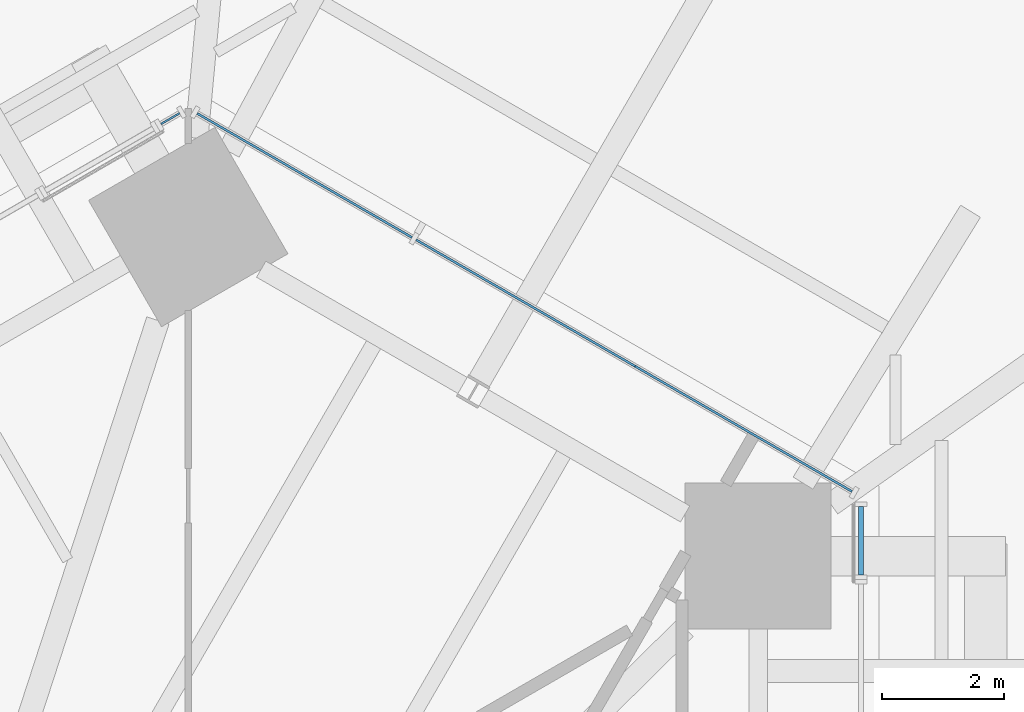
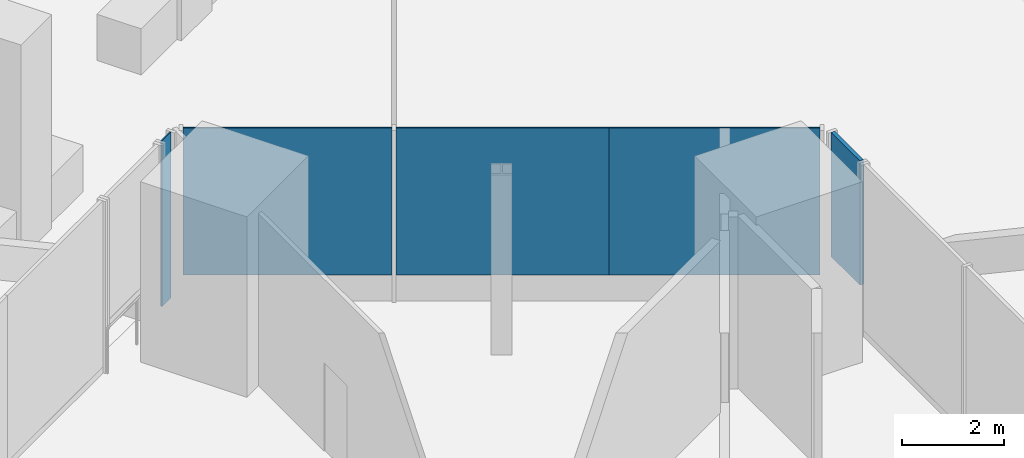
# One storey, part 25 of 38: 5 plates, 3 elements without a shape of their own.
"""IFC4 building model written with IfcOpenShell, lengths in metres."""

from ifc_helpers import new_model, si_unit, direction, frame, origin, origin_2d, place, context, subcontext, project, spatial, rectangle, extrude, source, transform, mapped, material, layer, layer_set, type_object, element, aggregate, save


model = new_model("IFC4")

# Units and contexts
model_context = context("Model", 3, precision=1e-05, world=origin(), true_north=direction((0.0, 1.0)))
body_context = subcontext(model_context, "Body", "Model", "MODEL_VIEW")
ifc_project = project(units=[si_unit("LENGTHUNIT", "METRE"), si_unit("AREAUNIT", "SQUARE_METRE"), si_unit("VOLUMEUNIT", "CUBIC_METRE"), si_unit("PLANEANGLEUNIT", "RADIAN"), si_unit("MASSUNIT", "GRAM", prefix="KILO")], contexts=[model_context])

# Site, building, storey
site_placement = place(None, origin())
site = spatial("IfcSite", under=ifc_project, at=site_placement, CompositionType="ELEMENT")
building_placement = place(site_placement, origin())
building = spatial("IfcBuilding", under=site, at=building_placement, Name="Triune Harvest Tower", CompositionType="ELEMENT")
storey_placement = place(building_placement, frame((0.0, 0.0, 16.0)))
storey = spatial("IfcBuildingStorey", under=building, at=storey_placement, Name="L03", CompositionType="ELEMENT", Elevation=16.0)

# Curtain wall, plate
ifc_material_1 = material(Name="Aluminium bronze anodised", Category="aluminium")
curtain_wall_type_1 = type_object("IfcCurtainWallType", Name="CW-10 Balcony window wall with insulated spandrel infill", PredefinedType="NOTDEFINED", material=ifc_material_1)
curtain_wall_1_placement = place(storey_placement, origin())
curtain_wall_1 = element("IfcCurtainWall", 1, at=curtain_wall_1_placement, inside=storey, type_object=curtain_wall_type_1, Name="CW-10 B1-F1 L03 run 102")
ifc_material_2 = material(Name="Insulated spandrel panel, bronze aluminium pan", Category="aluminium")
ifc_layer_1 = layer(ifc_material_2, 0.080078125)
ifc_layer_set_1 = layer_set([ifc_layer_1], Name="Insulated spandrel panel, bronze aluminium pan")
plate_type_1 = type_object("IfcPlateType", Name="SP-1 insulated spandrel panel 80", PredefinedType="CURTAIN_PANEL", material=ifc_layer_set_1)
plate_1_placement = place(storey_placement, frame((23.371337890625, 26.98095703125, 1.134765625), z_axis=(0.0, 0.0, 1.0), x_axis=(0.0, 1.0, 0.0)))
plate_1 = element("IfcPlate", 2, at=plate_1_placement, type_object=plate_type_1, Name="CW-10 panel B1-F1 102.1", PredefinedType="CURTAIN_PANEL", context=body_context, shape_type="SweptSolid", body=[
    extrude(rectangle(XDim=1.121826171875, YDim=0.080078125, at=origin_2d()), origin(), (0.0, 0.0, 1.0), 2.965087890625),
])
aggregate(curtain_wall_1, [plate_1])

# Curtain wall, plates
ifc_material_3 = material(Name="Aluminium bronze anodised", Category="aluminium")
curtain_wall_type_2 = type_object("IfcCurtainWallType", Name="CW-3 Farm floor curtain wall", PredefinedType="NOTDEFINED", material=ifc_material_3)
curtain_wall_2_placement = place(storey_placement, origin())
curtain_wall_2 = element("IfcCurtainWall", 3, at=curtain_wall_2_placement, inside=storey, type_object=curtain_wall_type_2, Name="CW-3 B1-F2 L03 run 1")
ifc_material_4 = material(Name="Glass", Category="glass")
ifc_layer_2 = layer(ifc_material_4, 0.035888671875)
ifc_layer_set_2 = layer_set([ifc_layer_2], Name="Glass")
plate_type_2 = type_object("IfcPlateType", Name="GL-3 panel 36", PredefinedType="CURTAIN_PANEL", material=ifc_layer_set_2)
shared_shape_1 = source(origin(), body_context, "Body", "SweptSolid", [
    extrude(rectangle(XDim=4.117919921875, YDim=0.035888671875, at=origin_2d()), origin(), (0.0, 0.0, 1.0), 3.5),
])
plate_2_placement = place(storey_placement, frame((21.441162109375, 28.8212890625, 0.60009765625), z_axis=(0.0, 0.0, 1.0), x_axis=(-0.866026145592, 0.499998715149, 0.0)))
plate_2 = element("IfcPlate", 4, at=plate_2_placement, type_object=plate_type_2, Name="CW-3 panel B1-F2 1.1", PredefinedType="CURTAIN_PANEL", context=body_context, shape_type="MappedRepresentation", body=[
    mapped(shared_shape_1, transform((0.0, 0.0, 0.0), scale=1.0)),
])
shared_shape_2 = source(origin(), body_context, "Body", "SweptSolid", [
    extrude(rectangle(XDim=4.157958984375, YDim=0.035888671875, at=origin_2d()), origin(), (0.0, 0.0, 1.0), 3.5),
])
plate_3_placement = place(storey_placement, frame((17.857666015625, 30.89013671875, 0.60009765625), z_axis=(0.0, 0.0, 1.0), x_axis=(-0.866026145592, 0.499998715149, 0.0)))
plate_3 = element("IfcPlate", 5, at=plate_3_placement, type_object=plate_type_2, Name="CW-3 panel B1-F2 1.2", PredefinedType="CURTAIN_PANEL", context=body_context, shape_type="MappedRepresentation", body=[
    mapped(shared_shape_2, transform((0.0, 0.0, 0.0), scale=1.0)),
])
shared_shape_3 = source(origin(), body_context, "Body", "SweptSolid", [
    extrude(rectangle(XDim=4.077880859375, YDim=0.035888671875, at=origin_2d()), origin(), (0.0, 0.0, 1.0), 3.5),
])
plate_4_placement = place(storey_placement, frame((14.22216796875, 32.989013671875, 0.60009765625), z_axis=(0.0, 0.0, 1.0), x_axis=(-0.866026145592, 0.499998715149, 0.0)))
plate_4 = element("IfcPlate", 6, at=plate_4_placement, type_object=plate_type_2, Name="CW-3 panel B1-F2 1.3", PredefinedType="CURTAIN_PANEL", context=body_context, shape_type="MappedRepresentation", body=[
    mapped(shared_shape_3, transform((0.0, 0.0, 0.0), scale=1.0)),
])
aggregate(curtain_wall_2, [plate_2, plate_3, plate_4])

# Curtain wall, plate
ifc_material_5 = material(Name="Aluminium bronze anodised", Category="aluminium")
curtain_wall_type_3 = type_object("IfcCurtainWallType", Name="CW-6 Balcony window wall", PredefinedType="NOTDEFINED", material=ifc_material_5)
curtain_wall_3_placement = place(storey_placement, origin())
curtain_wall_3 = element("IfcCurtainWall", 7, at=curtain_wall_3_placement, inside=storey, type_object=curtain_wall_type_3, Name="CW-6 B1-F3 L03 run 1")
ifc_material_6 = material(Name="Glass", Category="glass")
ifc_layer_3 = layer(ifc_material_6, 0.030029296875)
ifc_layer_set_3 = layer_set([ifc_layer_3], Name="Glass")
plate_type_3 = type_object("IfcPlateType", Name="GL-6 panel 30", PredefinedType="CURTAIN_PANEL", material=ifc_layer_set_3)
shared_shape_4 = source(origin(), body_context, "Body", "SweptSolid", [
    extrude(rectangle(XDim=0.351806640625, YDim=0.030029296875, at=origin_2d()), origin(), (0.0, 0.0, 1.0), 3.949951171875),
])
plate_5_placement = place(storey_placement, frame((12.013916015625, 33.923095703125, 0.14990234375), z_axis=(0.0, 0.0, 1.0), x_axis=(-0.866039577901, -0.499975448906, 0.0)))
plate_5 = element("IfcPlate", 8, at=plate_5_placement, type_object=plate_type_3, Name="CW-6 panel B1-F3 1.1", PredefinedType="CURTAIN_PANEL", context=body_context, shape_type="MappedRepresentation", body=[
    mapped(shared_shape_4, transform((0.0, 0.0, 0.0), scale=1.0)),
])
aggregate(curtain_wall_3, [plate_5])

save(model, "model.ifc")
